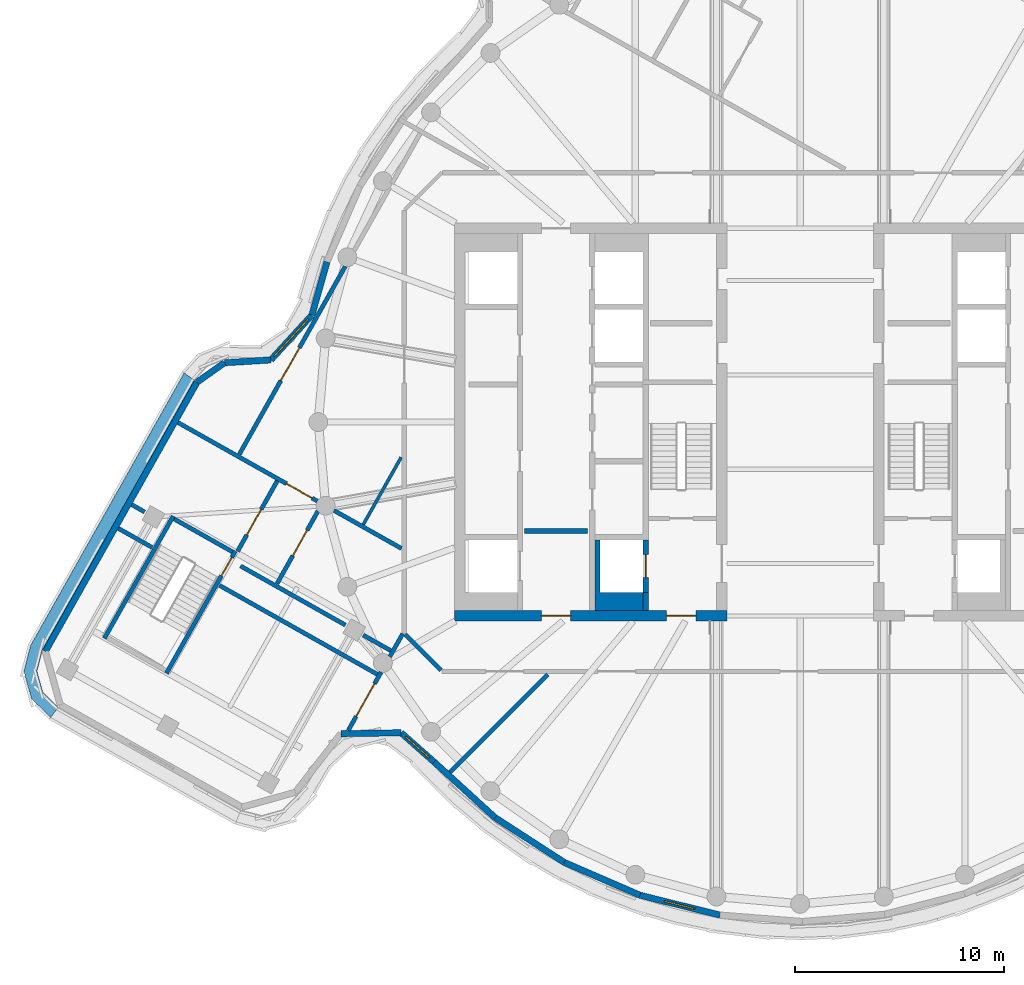
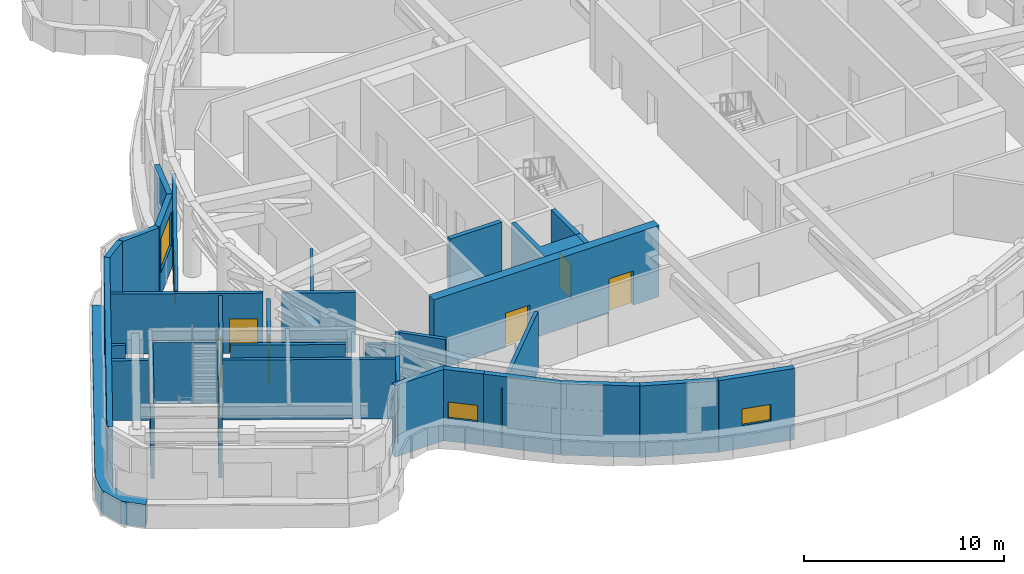
# One storey, part 5 of 15: 34 walls, 9 doors, 3 windows, 1 member, 12 openings.
"""IFC4 building model written with IfcOpenShell, lengths in metres."""

from ifc_helpers import new_model, si_unit, direction, frame, frame_2d, origin, place, context, subcontext, project, spatial, polyline, rectangle, outline, extrude, material, layer, layer_set, type_object, element, fill, aggregate, save


model = new_model("IFC4")

# Units and contexts
model_context = context("Model", 3, precision=1e-05, world=origin(), true_north=direction((0.0, 1.0)))
body_context = subcontext(model_context, "Body", "Model", "MODEL_VIEW")
ifc_project = project(units=[si_unit("LENGTHUNIT", "METRE"), si_unit("AREAUNIT", "SQUARE_METRE"), si_unit("VOLUMEUNIT", "CUBIC_METRE"), si_unit("PLANEANGLEUNIT", "RADIAN"), si_unit("MASSUNIT", "GRAM", prefix="KILO")], contexts=[model_context])

# Member
ifc_material_1 = material(Name="Aluminium and insulated spandrel panel", Category="aluminium")
member_type = type_object("IfcMemberType", Name="Floor-edge blade transom", PredefinedType="USERDEFINED", material=ifc_material_1)
site_placement = place(None, origin())
building_placement = place(site_placement, origin())
storey_placement = place(building_placement, frame((0.0, 0.0, 252.300048828125)))
member_placement = place(storey_placement, origin())
member = element("IfcMember", 1, at=member_placement, type_object=member_type, Name="CWT-L64-05", ObjectType="TRANSOM", PredefinedType="USERDEFINED", context=body_context, shape_type="SweptSolid", body=[
    extrude(outline(polyline([(-28.9130859375, 1.990966796875), (-36.172607421875, -10.891845703125), (-36.43017578125, -11.894775390625), (-36.151611328125, -12.891845703125), (-35.412109375, -13.6162109375), (-35.775390625, -14.10009765625), (-36.686279296875, -13.2080078125), (-37.05126953125, -11.901123046875), (-36.734130859375, -10.666259765625), (-29.40283203125, 2.34375), (-28.9130859375, 1.990966796875)])), origin(), (0.0, 0.0, 1.0), 1.39990234375),
])

# Site, building, storey
site = spatial("IfcSite", under=ifc_project, at=site_placement, CompositionType="ELEMENT")
building = spatial("IfcBuilding", under=site, at=building_placement, Name="Tamarind Cross Interchange Tower", CompositionType="ELEMENT")
storey = spatial("IfcBuildingStorey", under=building, at=storey_placement, Name="L64", CompositionType="ELEMENT", Elevation=252.300048828125)

# Wall, openings, doors
ifc_material_2 = material(Name="Concrete C50", Category="concrete")
ifc_layer_1 = layer(ifc_material_2, 0.5)
ifc_layer_set_1 = layer_set([ifc_layer_1], Name="Concrete C50")
wall_type_1 = type_object("IfcWallType", Name="Core wall 500 mm Concrete C50", PredefinedType="SHEAR", material=ifc_layer_set_1)
wall_1_placement = place(storey_placement, frame((-16.5, -9.25, 0.0), z_axis=(0.0, 0.0, 1.0), x_axis=(1.0, 0.0, 0.0)))
wall_1 = element("IfcWall", 2, at=wall_1_placement, inside=storey, type_object=wall_type_1, Name="Core wall CWL-L64-W-S", PredefinedType="SHEAR", context=body_context, shape_type="SweptSolid", body=[
    extrude(rectangle(XDim=13.0, YDim=0.5, at=frame_2d((6.5, 0.0))), origin(), (0.0, 0.0, 1.0), 4.35986328125),
])
opening_1_placement = place(wall_1_placement, frame((4.14990234375, 0.0, 0.0)))
opening_1 = element("IfcOpeningElement", 3, at=opening_1_placement, cuts=wall_1, Name="Opening DCW1", PredefinedType="OPENING", context=body_context, shape_type="SweptSolid", body=[
    extrude(rectangle(XDim=1.39990234375, YDim=2.10009765625, at=frame_2d((0.699951171875, 1.050048828125))), frame((0.0, 0.260009765625, 0.0), z_axis=(0.0, -1.0, 0.0), x_axis=(1.0, 0.0, 0.0)), (0.0, 0.0, 1.0), 0.52001953125),
])
opening_2_placement = place(wall_1_placement, frame((10.125, 0.0, 0.0)))
opening_2 = element("IfcOpeningElement", 4, at=opening_2_placement, cuts=wall_1, Name="Opening DCWF", PredefinedType="OPENING", context=body_context, shape_type="SweptSolid", body=[
    extrude(rectangle(XDim=1.39990234375, YDim=2.10009765625, at=frame_2d((0.699951171875, 1.050048828125))), frame((0.0, 0.260009765625, 0.0), z_axis=(0.0, -1.0, 0.0), x_axis=(1.0, 0.0, 0.0)), (0.0, 0.0, 1.0), 0.52001953125),
])
ifc_material_3 = material(Name="Steel, fire-resisting", Category="steel")
door_type_1 = type_object("IfcDoorType", Name="Core fire door 1400 x 2100 FD90", OperationType="SINGLE_SWING_LEFT", PredefinedType="DOOR", material=ifc_material_3)
door_1_placement = place(opening_1_placement, origin())
door_1 = element("IfcDoor", 5, at=door_1_placement, inside=storey, type_object=door_type_1, Name="L64 lift lobby door", OperationType="SINGLE_SWING_LEFT", OverallHeight=2.10009765625, OverallWidth=1.39990234375, PredefinedType="DOOR", context=body_context, shape_type="SweptSolid", body=[
    extrude(rectangle(XDim=1.39990234375, YDim=2.10009765625, at=frame_2d((0.699951171875, 1.050048828125))), frame((0.0, 0.02490234375, 0.0), z_axis=(0.0, -1.0, 0.0), x_axis=(1.0, 0.0, 0.0)), (0.0, 0.0, 1.0), 0.050048828125),
])
fill(opening_1, door_1)
door_2_placement = place(opening_2_placement, origin())
door_2 = element("IfcDoor", 6, at=door_2_placement, inside=storey, type_object=door_type_1, Name="L64 firefighting lobby end door", OperationType="SINGLE_SWING_LEFT", OverallHeight=2.10009765625, OverallWidth=1.39990234375, PredefinedType="DOOR", context=body_context, shape_type="SweptSolid", body=[
    extrude(rectangle(XDim=1.39990234375, YDim=2.10009765625, at=frame_2d((0.699951171875, 1.050048828125))), frame((0.0, 0.02490234375, 0.0), z_axis=(0.0, -1.0, 0.0), x_axis=(1.0, 0.0, 0.0)), (0.0, 0.0, 1.0), 0.050048828125),
])
fill(opening_2, door_2)

# Walls
ifc_layer_2 = layer(ifc_material_2, 0.25)
ifc_layer_set_2 = layer_set([ifc_layer_2], Name="Concrete C50")
wall_type_2 = type_object("IfcWallType", Name="Core web wall 250 mm Concrete C50", PredefinedType="SHEAR", material=ifc_layer_set_2)
wall_2_placement = place(storey_placement, origin())
element("IfcWall", 7, at=wall_2_placement, inside=storey, type_object=wall_type_2, Name="Core wall CWL-L64-W-BS", PredefinedType="SHEAR", context=body_context, shape_type="SweptSolid", body=[
    extrude(outline(polyline([(-7.5, -8.125), (-9.550048828125, -8.125), (-9.550048828125, -5.625), (-9.800048828125, -5.625), (-9.800048828125, -8.125), (-9.800048828125, -9.0), (-7.5, -9.0), (-7.5, -8.125)])), origin(), (0.0, 0.0, 1.0), 4.35986328125),
])
wall_3_placement = place(storey_placement, frame((-7.375, -9.0, 0.0), z_axis=(0.0, 0.0, 1.0), x_axis=(0.0, 1.0, 0.0)))
element("IfcWall", 8, at=wall_3_placement, inside=storey, type_object=wall_type_2, Name="Core wall CWL-L64-W-BW", PredefinedType="SHEAR", context=body_context, shape_type="SweptSolid", body=[
    extrude(rectangle(XDim=0.875, YDim=0.25, at=frame_2d((0.4375, 0.0))), origin(), (0.0, 0.0, 1.0), 4.35986328125),
])

# Wall, opening, door
wall_4_placement = place(storey_placement, frame((-7.375, -8.125, 0.0), z_axis=(0.0, 0.0, 1.0), x_axis=(0.0, 1.0, 0.0)))
wall_4 = element("IfcWall", 9, at=wall_4_placement, inside=storey, type_object=wall_type_2, Name="Core wall CWL-L64-W-FF", PredefinedType="SHEAR", context=body_context, shape_type="SweptSolid", body=[
    extrude(rectangle(XDim=2.5, YDim=0.25, at=frame_2d((1.25, 0.0))), origin(), (0.0, 0.0, 1.0), 4.35986328125),
])
opening_3_placement = place(wall_4_placement, frame((0.699951171875, 0.0, 0.0)))
opening_3 = element("IfcOpeningElement", 10, at=opening_3_placement, cuts=wall_4, Name="Opening LD7L64", PredefinedType="OPENING", context=body_context, shape_type="SweptSolid", body=[
    extrude(rectangle(XDim=1.10009765625, YDim=2.10009765625, at=frame_2d((0.550048828125, 1.050048828125))), frame((0.0, 0.135009765625, 0.0), z_axis=(0.0, -1.0, 0.0), x_axis=(1.0, 0.0, 0.0)), (0.0, 0.0, 1.0), 0.27001953125),
])
ifc_material_4 = material(Name="Stainless steel panel", Category="steel")
door_type_2 = type_object("IfcDoorType", Name="Lift landing door 1100 x 2100 E 120", OperationType="SLIDING_TO_LEFT", PredefinedType="DOOR", material=ifc_material_4)
door_3_placement = place(opening_3_placement, origin())
door_3 = element("IfcDoor", 11, at=door_3_placement, inside=storey, type_object=door_type_2, Name="L64 landing door LF7", OperationType="SLIDING_TO_LEFT", OverallHeight=2.10009765625, OverallWidth=1.10009765625, PredefinedType="DOOR", context=body_context, shape_type="SweptSolid", body=[
    extrude(rectangle(XDim=1.10009765625, YDim=2.10009765625, at=frame_2d((0.550048828125, 1.050048828125))), frame((0.0, 0.02490234375, 0.0), z_axis=(0.0, -1.0, 0.0), x_axis=(1.0, 0.0, 0.0)), (0.0, 0.0, 1.0), 0.050048828125),
])
fill(opening_3, door_3)

# Walls
ifc_material_5 = material(Name="Gypsum board partition on steel studs", Category="steel")
ifc_layer_3 = layer(ifc_material_5, 0.14990234375)
ifc_layer_set_3 = layer_set([ifc_layer_3], Name="Gypsum board partition on steel studs")
wall_type_3 = type_object("IfcWallType", Name="Partition 150 mm EI 120", PredefinedType="PARTITIONING", material=ifc_layer_set_3)
wall_5_placement = place(storey_placement, frame((-20.85400390625, -4.892822265625, 0.0), z_axis=(0.0, 0.0, 1.0), x_axis=(0.490808992491, 0.87126719948, 0.0)))
element("IfcWall", 12, at=wall_5_placement, inside=storey, type_object=wall_type_3, Name="Partition L64-033", PredefinedType="PARTITIONING", context=body_context, shape_type="SweptSolid", body=[
    extrude(rectangle(XDim=3.681396484375, YDim=0.14990234375, at=frame_2d((1.8408203125, 0.0))), origin(), (0.0, 0.0, 1.0), 3.659912109375),
])
ifc_layer_4 = layer(ifc_material_5, 0.199951171875)
ifc_layer_set_4 = layer_set([ifc_layer_4], Name="Gypsum board partition on steel studs")
wall_type_4 = type_object("IfcWallType", Name="Partition 200 mm EI 180", PredefinedType="PARTITIONING", material=ifc_layer_set_4)
wall_6_placement = place(storey_placement, frame((-18.85400390625, -10.14599609375, 0.0), z_axis=(0.0, 0.0, 1.0), x_axis=(0.707106781187, -0.707106781187, 0.0)))
element("IfcWall", 13, at=wall_6_placement, inside=storey, type_object=wall_type_4, Name="Partition L64-001", PredefinedType="PARTITIONING", context=body_context, shape_type="SweptSolid", body=[
    extrude(rectangle(XDim=2.420654296875, YDim=0.199951171875, at=frame_2d((1.21044921875, 0.0))), origin(), (0.0, 0.0, 1.0), 3.659912109375),
])
wall_7_placement = place(storey_placement, frame((-32.549072265625, -5.07470703125, 0.0), z_axis=(0.0, 0.0, 1.0), x_axis=(0.871273731267, -0.490797397308, 0.0)))
element("IfcWall", 14, at=wall_7_placement, inside=storey, type_object=wall_type_4, Name="Partition L64-004", PredefinedType="PARTITIONING", context=body_context, shape_type="SweptSolid", body=[
    extrude(rectangle(XDim=1.85888671875, YDim=0.199951171875, at=frame_2d((0.929443359375, 0.0))), origin(), (0.0, 0.0, 1.0), 3.64990234375),
])
wall_8_placement = place(storey_placement, frame((-27.72314453125, -7.79345703125, 0.0), z_axis=(0.0, 0.0, 1.0), x_axis=(0.871250853951, -0.490838007382, 0.0)))
element("IfcWall", 15, at=wall_8_placement, inside=storey, type_object=wall_type_4, Name="Partition L64-005", PredefinedType="PARTITIONING", context=body_context, shape_type="SweptSolid", body=[
    extrude(rectangle(XDim=8.66015625, YDim=0.199951171875, at=frame_2d((4.330078125, 0.0))), origin(), (0.0, 0.0, 1.0), 3.64990234375),
])
wall_9_placement = place(storey_placement, frame((-31.910888671875, -3.9423828125, 0.0), z_axis=(0.0, 0.0, 1.0), x_axis=(0.871125482332, -0.491060478995, 0.0)))
element("IfcWall", 16, at=wall_9_placement, inside=storey, type_object=wall_type_4, Name="Partition L64-006", PredefinedType="PARTITIONING", context=body_context, shape_type="SweptSolid", body=[
    extrude(rectangle(XDim=0.71044921875, YDim=0.199951171875, at=frame_2d((0.355224609375, 0.0))), origin(), (0.0, 0.0, 1.0), 3.659912109375),
])
wall_10_placement = place(storey_placement, frame((-26.710693359375, -6.872314453125, 0.0), z_axis=(0.0, 0.0, 1.0), x_axis=(0.871249420599, -0.490840551612, 0.0)))
element("IfcWall", 17, at=wall_10_placement, inside=storey, type_object=wall_type_4, Name="Partition L64-007", PredefinedType="PARTITIONING", context=body_context, shape_type="SweptSolid", body=[
    extrude(rectangle(XDim=5.741455078125, YDim=0.199951171875, at=frame_2d((2.87060546875, 0.0))), origin(), (0.0, 0.0, 1.0), 3.64990234375),
])
wall_11_placement = place(storey_placement, frame((-20.857177734375, -10.170166015625, 0.0), z_axis=(0.0, 0.0, 1.0), x_axis=(0.871269034668, -0.490805734715, 0.0)))
element("IfcWall", 18, at=wall_11_placement, inside=storey, type_object=wall_type_4, Name="Partition L64-008", PredefinedType="PARTITIONING", context=body_context, shape_type="SweptSolid", body=[
    extrude(rectangle(XDim=1.51123046875, YDim=0.199951171875, at=frame_2d((0.755615234375, 0.0))), origin(), (0.0, 0.0, 1.0), 3.659912109375),
])

# Wall, opening, door
wall_12_placement = place(storey_placement, frame((-29.70166015625, -0.021728515625, 0.0), z_axis=(0.0, 0.0, 1.0), x_axis=(0.871230291911, -0.490874503775, 0.0)))
wall_12 = element("IfcWall", 19, at=wall_12_placement, inside=storey, type_object=wall_type_4, Name="Partition L64-009", PredefinedType="PARTITIONING", context=body_context, shape_type="SweptSolid", body=[
    extrude(rectangle(XDim=7.634521484375, YDim=0.199951171875, at=frame_2d((3.8173828125, 0.0))), origin(), (0.0, 0.0, 1.0), 3.659912109375),
])
opening_4_placement = place(wall_12_placement, frame((5.94873046875, 0.0, 0.0)))
opening_4 = element("IfcOpeningElement", 20, at=opening_4_placement, cuts=wall_12, Name="Opening D01", PredefinedType="OPENING", context=body_context, shape_type="SweptSolid", body=[
    extrude(rectangle(XDim=1.39990234375, YDim=2.10009765625, at=frame_2d((0.699951171875, 1.050048828125))), frame((0.0, 0.10986328125, 0.0), z_axis=(0.0, -1.0, 0.0), x_axis=(1.0, 0.0, 0.0)), (0.0, 0.0, 1.0), 0.219970703125),
])
ifc_material_6 = material(Name="Fire-resisting door set")
door_type_3 = type_object("IfcDoorType", Name="Interior door 1400 x 2100 FD120S", OperationType="DOUBLE_DOOR_SINGLE_SWING", PredefinedType="DOOR", material=ifc_material_6)
door_4_placement = place(opening_4_placement, origin())
door_4 = element("IfcDoor", 21, at=door_4_placement, inside=storey, type_object=door_type_3, Name="Door D01", OperationType="DOUBLE_DOOR_SINGLE_SWING", OverallHeight=2.10009765625, OverallWidth=1.39990234375, PredefinedType="DOOR", context=body_context, shape_type="SweptSolid", body=[
    extrude(rectangle(XDim=1.39990234375, YDim=2.10009765625, at=frame_2d((0.699951171875, 1.050048828125))), frame((0.0, 0.02490234375, 0.0), z_axis=(0.0, -1.0, 0.0), x_axis=(1.0, 0.0, 0.0)), (0.0, 0.0, 1.0), 0.050048828125),
])
fill(opening_4, door_4)

# Walls
wall_13_placement = place(storey_placement, frame((-22.251220703125, -4.2197265625, 0.0), z_axis=(0.0, 0.0, 1.0), x_axis=(0.871238479137, -0.490859972366, 0.0)))
element("IfcWall", 22, at=wall_13_placement, inside=storey, type_object=wall_type_4, Name="Partition L64-010", PredefinedType="PARTITIONING", context=body_context, shape_type="SweptSolid", body=[
    extrude(rectangle(XDim=3.697021484375, YDim=0.199951171875, at=frame_2d((1.8486328125, 0.0))), origin(), (0.0, 0.0, 1.0), 3.659912109375),
])
wall_14_placement = place(storey_placement, frame((-16.927001953125, -16.927001953125, 0.0), z_axis=(0.0, 0.0, 1.0), x_axis=(0.707106781187, 0.707106781187, 0.0)))
element("IfcWall", 23, at=wall_14_placement, inside=storey, type_object=wall_type_4, Name="Partition L64-024", PredefinedType="PARTITIONING", context=body_context, shape_type="SweptSolid", body=[
    extrude(rectangle(XDim=6.894287109375, YDim=0.199951171875, at=frame_2d((3.447265625, 0.0))), origin(), (0.0, 0.0, 1.0), 3.659912109375),
])

# Wall, opening, door
wall_15_placement = place(storey_placement, frame((-26.854736328125, -6.171142578125, 0.0), z_axis=(0.0, 0.0, 1.0), x_axis=(0.49081668525, 0.871262865891, 0.0)))
wall_15 = element("IfcWall", 24, at=wall_15_placement, inside=storey, type_object=wall_type_4, Name="Partition L64-026", PredefinedType="PARTITIONING", context=body_context, shape_type="SweptSolid", body=[
    extrude(rectangle(XDim=3.85986328125, YDim=0.199951171875, at=frame_2d((1.929931640625, 0.0))), origin(), (0.0, 0.0, 1.0), 3.550048828125),
])
opening_5_placement = place(wall_15_placement, frame((0.89990234375, 0.0, 0.0)))
opening_5 = element("IfcOpeningElement", 25, at=opening_5_placement, cuts=wall_15, Name="Opening D09", PredefinedType="OPENING", context=body_context, shape_type="SweptSolid", body=[
    extrude(rectangle(XDim=1.39990234375, YDim=2.10009765625, at=frame_2d((0.699951171875, 1.050048828125))), frame((0.0, 0.10986328125, 0.0), z_axis=(0.0, -1.0, 0.0), x_axis=(1.0, 0.0, 0.0)), (0.0, 0.0, 1.0), 0.219970703125),
])
door_5_placement = place(opening_5_placement, origin())
door_5 = element("IfcDoor", 26, at=door_5_placement, inside=storey, type_object=door_type_3, Name="Door D09", OperationType="DOUBLE_DOOR_SINGLE_SWING", OverallHeight=2.10009765625, OverallWidth=1.39990234375, PredefinedType="DOOR", context=body_context, shape_type="SweptSolid", body=[
    extrude(rectangle(XDim=1.39990234375, YDim=2.10009765625, at=frame_2d((0.699951171875, 1.050048828125))), frame((0.0, 0.02490234375, 0.0), z_axis=(0.0, -1.0, 0.0), x_axis=(1.0, 0.0, 0.0)), (0.0, 0.0, 1.0), 0.050048828125),
])
fill(opening_5, door_5)

wall_16_placement = place(storey_placement, frame((-26.76904296875, -1.53662109375, 0.0), z_axis=(0.0, 0.0, 1.0), x_axis=(0.490938793305, 0.871194066341, 0.0)))
wall_16 = element("IfcWall", 27, at=wall_16_placement, inside=storey, type_object=wall_type_4, Name="Partition L64-027", PredefinedType="PARTITIONING", context=body_context, shape_type="SweptSolid", body=[
    extrude(rectangle(XDim=10.29638671875, YDim=0.199951171875, at=frame_2d((5.148193359375, 0.0))), origin(), (0.0, 0.0, 1.0), 3.659912109375),
])
opening_6_placement = place(wall_16_placement, frame((4.030029296875, 0.0, 0.0)))
opening_6 = element("IfcOpeningElement", 28, at=opening_6_placement, cuts=wall_16, Name="Opening D10", PredefinedType="OPENING", context=body_context, shape_type="SweptSolid", body=[
    extrude(rectangle(XDim=1.800048828125, YDim=2.10009765625, at=frame_2d((0.89990234375, 1.050048828125))), frame((0.0, 0.10986328125, 0.0), z_axis=(0.0, -1.0, 0.0), x_axis=(1.0, 0.0, 0.0)), (0.0, 0.0, 1.0), 0.219970703125),
])
door_type_4 = type_object("IfcDoorType", Name="Interior door 1800 x 2100 FD120S", OperationType="DOUBLE_DOOR_SINGLE_SWING", PredefinedType="DOOR", material=ifc_material_6)
door_6_placement = place(opening_6_placement, origin())
door_6 = element("IfcDoor", 29, at=door_6_placement, inside=storey, type_object=door_type_4, Name="Door D10", OperationType="DOUBLE_DOOR_SINGLE_SWING", OverallHeight=2.10009765625, OverallWidth=1.800048828125, PredefinedType="DOOR", context=body_context, shape_type="SweptSolid", body=[
    extrude(rectangle(XDim=1.800048828125, YDim=2.10009765625, at=frame_2d((0.89990234375, 1.050048828125))), frame((0.0, 0.02490234375, 0.0), z_axis=(0.0, -1.0, 0.0), x_axis=(1.0, 0.0, 0.0)), (0.0, 0.0, 1.0), 0.050048828125),
])
fill(opening_6, door_6)

wall_17_placement = place(storey_placement, frame((-24.97021484375, -7.715576171875, 0.0), z_axis=(0.0, 0.0, 1.0), x_axis=(0.490949481797, 0.871188043033, 0.0)))
wall_17 = element("IfcWall", 30, at=wall_17_placement, inside=storey, type_object=wall_type_4, Name="Partition L64-030", PredefinedType="PARTITIONING", context=body_context, shape_type="SweptSolid", body=[
    extrude(rectangle(XDim=3.973876953125, YDim=0.199951171875, at=frame_2d((1.98681640625, 0.0))), origin(), (0.0, 0.0, 1.0), 3.550048828125),
])
opening_7_placement = place(wall_17_placement, frame((1.530029296875, 0.0, 0.0)))
opening_7 = element("IfcOpeningElement", 31, at=opening_7_placement, cuts=wall_17, Name="Opening D11", PredefinedType="OPENING", context=body_context, shape_type="SweptSolid", body=[
    extrude(rectangle(XDim=1.39990234375, YDim=2.10009765625, at=frame_2d((0.699951171875, 1.050048828125))), frame((0.0, 0.10986328125, 0.0), z_axis=(0.0, -1.0, 0.0), x_axis=(1.0, 0.0, 0.0)), (0.0, 0.0, 1.0), 0.219970703125),
])
door_7_placement = place(opening_7_placement, frame((1.39990234375, 0.0, 0.0), z_axis=(0.0, 0.0, 1.0), x_axis=(-1.0, 0.0, 0.0)))
door_7 = element("IfcDoor", 32, at=door_7_placement, inside=storey, type_object=door_type_3, Name="Door D11", OperationType="DOUBLE_DOOR_SINGLE_SWING", OverallHeight=2.10009765625, OverallWidth=1.39990234375, PredefinedType="DOOR", context=body_context, shape_type="SweptSolid", body=[
    extrude(rectangle(XDim=1.39990234375, YDim=2.10009765625, at=frame_2d((0.699951171875, 1.050048828125))), frame((0.0, 0.02490234375, 0.0), z_axis=(0.0, -1.0, 0.0), x_axis=(1.0, 0.0, 0.0)), (0.0, 0.0, 1.0), 0.050048828125),
])
fill(opening_7, door_7)

wall_18_placement = place(storey_placement, frame((-21.5712890625, -14.719970703125, 0.0), z_axis=(0.0, 0.0, 1.0), x_axis=(0.490968764071, 0.871177176415, 0.0)))
wall_18 = element("IfcWall", 33, at=wall_18_placement, inside=storey, type_object=wall_type_4, Name="Partition L64-031", PredefinedType="PARTITIONING", context=body_context, shape_type="SweptSolid", body=[
    extrude(rectangle(XDim=3.19384765625, YDim=0.199951171875, at=frame_2d((1.596923828125, 0.0))), origin(), (0.0, 0.0, 1.0), 3.659912109375),
])
opening_8_placement = place(wall_18_placement, frame((0.76416015625, 0.0, 0.0)))
opening_8 = element("IfcOpeningElement", 34, at=opening_8_placement, cuts=wall_18, Name="Opening D12", PredefinedType="OPENING", context=body_context, shape_type="SweptSolid", body=[
    extrude(rectangle(XDim=1.800048828125, YDim=2.10009765625, at=frame_2d((0.89990234375, 1.050048828125))), frame((0.0, 0.10986328125, 0.0), z_axis=(0.0, -1.0, 0.0), x_axis=(1.0, 0.0, 0.0)), (0.0, 0.0, 1.0), 0.219970703125),
])
door_8_placement = place(opening_8_placement, origin())
door_8 = element("IfcDoor", 35, at=door_8_placement, inside=storey, type_object=door_type_4, Name="Door D12", OperationType="DOUBLE_DOOR_SINGLE_SWING", OverallHeight=2.10009765625, OverallWidth=1.800048828125, PredefinedType="DOOR", context=body_context, shape_type="SweptSolid", body=[
    extrude(rectangle(XDim=1.800048828125, YDim=2.10009765625, at=frame_2d((0.89990234375, 1.050048828125))), frame((0.0, 0.02490234375, 0.0), z_axis=(0.0, -1.0, 0.0), x_axis=(1.0, 0.0, 0.0)), (0.0, 0.0, 1.0), 0.050048828125),
])
fill(opening_8, door_8)

# Walls
wall_19_placement = place(storey_placement, frame((-19.58837890625, -11.20166015625, 0.0), z_axis=(0.0, 0.0, 1.0), x_axis=(0.490922315128, 0.871203351985, 0.0)))
element("IfcWall", 36, at=wall_19_placement, inside=storey, type_object=wall_type_4, Name="Partition L64-032", PredefinedType="PARTITIONING", context=body_context, shape_type="SweptSolid", body=[
    extrude(rectangle(XDim=1.26220703125, YDim=0.199951171875, at=frame_2d((0.631103515625, 0.0))), origin(), (0.0, 0.0, 1.0), 3.659912109375),
])
ifc_material_7 = material(Name="Precast concrete C40", Category="concrete")
ifc_layer_5 = layer(ifc_material_7, 0.300048828125)
ifc_layer_set_5 = layer_set([ifc_layer_5], Name="Precast concrete C40")
wall_type_5 = type_object("IfcWallType", Name="Plant louvre wall", PredefinedType="SOLIDWALL", material=ifc_layer_set_5)
wall_20_placement = place(storey_placement, frame((-21.923583984375, -14.876220703125, 0.0), z_axis=(0.0, 0.0, 1.0), x_axis=(0.999879048983, 0.015552729789, 0.0)))
element("IfcWall", 37, at=wall_20_placement, inside=storey, type_object=wall_type_5, Name="EXW-L64-01-02", PredefinedType="SOLIDWALL", context=body_context, shape_type="SweptSolid", body=[
    extrude(rectangle(XDim=2.87255859375, YDim=0.300048828125, at=frame_2d((1.436279296875, 0.0))), origin(), (0.0, 0.0, 1.0), 4.35986328125),
])

# Wall, opening, window
wall_21_placement = place(storey_placement, frame((-19.05126953125, -14.83154296875, 0.0), z_axis=(0.0, 0.0, 1.0), x_axis=(0.749217958037, -0.662323524688, 0.0)))
wall_21 = element("IfcWall", 38, at=wall_21_placement, inside=storey, type_object=wall_type_5, Name="EXW-L64-01-03", PredefinedType="SOLIDWALL", context=body_context, shape_type="SweptSolid", body=[
    extrude(rectangle(XDim=2.1044921875, YDim=0.300048828125, at=frame_2d((1.05224609375, 0.0))), origin(), (0.0, 0.0, 1.0), 4.35986328125),
])
opening_9_placement = place(wall_21_placement, frame((0.300048828125, 0.0, 1.39990234375)))
opening_9 = element("IfcOpeningElement", 39, at=opening_9_placement, cuts=wall_21, Name="Opening W5", PredefinedType="OPENING", context=body_context, shape_type="SweptSolid", body=[
    extrude(rectangle(XDim=1.5, YDim=1.0, at=frame_2d((0.75, 0.5))), frame((0.0, 0.159912109375, 0.0), z_axis=(0.0, -1.0, 0.0), x_axis=(1.0, 0.0, 0.0)), (0.0, 0.0, 1.0), 0.320068359375),
])
ifc_material_8 = material(Name="Aluminium and fire-resisting glass", Category="aluminium")
window_type_1 = type_object("IfcWindowType", Name="Refuge opening window", PartitioningType="DOUBLE_PANEL_VERTICAL", PredefinedType="WINDOW", material=ifc_material_8)
window_1_placement = place(opening_9_placement, origin())
window_1 = element("IfcWindow", 40, at=window_1_placement, inside=storey, type_object=window_type_1, Name="RSW-L64-01-05", OverallHeight=1.0, OverallWidth=1.5, PartitioningType="SINGLE_PANEL", PredefinedType="WINDOW", context=body_context, shape_type="SweptSolid", body=[
    extrude(rectangle(XDim=1.5, YDim=1.0, at=frame_2d((0.75, 0.5))), frame((0.0, 0.030029296875, 0.0), z_axis=(0.0, -1.0, 0.0), x_axis=(1.0, 0.0, 0.0)), (0.0, 0.0, 1.0), 0.06005859375),
])
fill(opening_9, window_1)

# Walls
wall_22_placement = place(storey_placement, frame((-17.474609375, -16.225341796875, 0.0), z_axis=(0.0, 0.0, 1.0), x_axis=(0.738631739758, -0.674109155124, 0.0)))
element("IfcWall", 41, at=wall_22_placement, inside=storey, type_object=wall_type_5, Name="EXW-L64-01-04", PredefinedType="SOLIDWALL", context=body_context, shape_type="SweptSolid", body=[
    extrude(rectangle(XDim=3.93896484375, YDim=0.300048828125, at=frame_2d((1.969482421875, 0.0))), origin(), (0.0, 0.0, 1.0), 4.35986328125),
])
wall_23_placement = place(storey_placement, frame((-14.565185546875, -18.880615234375, 0.0), z_axis=(0.0, 0.0, 1.0), x_axis=(0.839498632024, -0.54336180104, 0.0)))
element("IfcWall", 42, at=wall_23_placement, inside=storey, type_object=wall_type_5, Name="EXW-L64-01-05", PredefinedType="SOLIDWALL", context=body_context, shape_type="SweptSolid", body=[
    extrude(rectangle(XDim=3.938232421875, YDim=0.300048828125, at=frame_2d((1.96923828125, 0.0))), origin(), (0.0, 0.0, 1.0), 4.35986328125),
])
wall_24_placement = place(storey_placement, frame((-11.259033203125, -21.0205078125, 0.0), z_axis=(0.0, 0.0, 1.0), x_axis=(0.917505110173, -0.397723990735, 0.0)))
element("IfcWall", 43, at=wall_24_placement, inside=storey, type_object=wall_type_5, Name="EXW-L64-01-06", PredefinedType="SOLIDWALL", context=body_context, shape_type="SweptSolid", body=[
    extrude(rectangle(XDim=3.9384765625, YDim=0.300048828125, at=frame_2d((1.96923828125, 0.0))), origin(), (0.0, 0.0, 1.0), 4.35986328125),
])

# Wall, opening, window
wall_25_placement = place(storey_placement, frame((-7.6455078125, -22.5869140625, 0.0), z_axis=(0.0, 0.0, 1.0), x_axis=(0.970440788586, -0.241339337547, 0.0)))
wall_25 = element("IfcWall", 44, at=wall_25_placement, inside=storey, type_object=wall_type_5, Name="EXW-L64-01-07", PredefinedType="SOLIDWALL", context=body_context, shape_type="SweptSolid", body=[
    extrude(rectangle(XDim=3.938232421875, YDim=0.300048828125, at=frame_2d((1.96923828125, 0.0))), origin(), (0.0, 0.0, 1.0), 4.35986328125),
])
opening_10_placement = place(wall_25_placement, frame((1.199951171875, 0.0, 1.39990234375)))
opening_10 = element("IfcOpeningElement", 45, at=opening_10_placement, cuts=wall_25, Name="Opening W5", PredefinedType="OPENING", context=body_context, shape_type="SweptSolid", body=[
    extrude(rectangle(XDim=1.5, YDim=1.0, at=frame_2d((0.75, 0.5))), frame((0.0, 0.159912109375, 0.0), z_axis=(0.0, -1.0, 0.0), x_axis=(1.0, 0.0, 0.0)), (0.0, 0.0, 1.0), 0.320068359375),
])
window_2_placement = place(opening_10_placement, origin())
window_2 = element("IfcWindow", 46, at=window_2_placement, inside=storey, type_object=window_type_1, Name="RSW-L64-01-03", OverallHeight=1.0, OverallWidth=1.5, PartitioningType="SINGLE_PANEL", PredefinedType="WINDOW", context=body_context, shape_type="SweptSolid", body=[
    extrude(rectangle(XDim=1.5, YDim=1.0, at=frame_2d((0.75, 0.5))), frame((0.0, 0.030029296875, 0.0), z_axis=(0.0, -1.0, 0.0), x_axis=(1.0, 0.0, 0.0)), (0.0, 0.0, 1.0), 0.06005859375),
])
fill(opening_10, window_2)

# Wall
wall_26_placement = place(storey_placement, frame((-22.5869140625, 7.6455078125, 0.0), z_axis=(0.0, 0.0, 1.0), x_axis=(-0.272484089788, -0.962160288524, 0.0)))
element("IfcWall", 47, at=wall_26_placement, inside=storey, type_object=wall_type_5, Name="EXW-L64-04-07", PredefinedType="SOLIDWALL", context=body_context, shape_type="SweptSolid", body=[
    extrude(rectangle(XDim=2.638671875, YDim=0.300048828125, at=frame_2d((1.3193359375, 0.0))), origin(), (0.0, 0.0, 1.0), 4.35986328125),
])

# Wall, opening, window
wall_27_placement = place(storey_placement, frame((-23.305908203125, 5.106689453125, 0.0), z_axis=(0.0, 0.0, 1.0), x_axis=(-0.675621829104, -0.737248359807, 0.0)))
wall_27 = element("IfcWall", 48, at=wall_27_placement, inside=storey, type_object=wall_type_5, Name="EXW-L64-04-08", PredefinedType="SOLIDWALL", context=body_context, shape_type="SweptSolid", body=[
    extrude(rectangle(XDim=2.90380859375, YDim=0.300048828125, at=frame_2d((1.451904296875, 0.0))), origin(), (0.0, 0.0, 1.0), 4.35986328125),
])
opening_11_placement = place(wall_27_placement, frame((0.25, 0.0, 1.39990234375)))
opening_11 = element("IfcOpeningElement", 49, at=opening_11_placement, cuts=wall_27, Name="Opening W3", PredefinedType="OPENING", context=body_context, shape_type="SweptSolid", body=[
    extrude(rectangle(XDim=2.39990234375, YDim=2.10009765625, at=frame_2d((1.199951171875, 1.050048828125))), frame((0.0, 0.159912109375, 0.0), z_axis=(0.0, -1.0, 0.0), x_axis=(1.0, 0.0, 0.0)), (0.0, 0.0, 1.0), 0.320068359375),
])
window_type_2 = type_object("IfcWindowType", Name="Refuge rescue window", PartitioningType="DOUBLE_PANEL_VERTICAL", PredefinedType="WINDOW", material=ifc_material_8)
window_3_placement = place(opening_11_placement, origin())
window_3 = element("IfcWindow", 50, at=window_3_placement, inside=storey, type_object=window_type_2, Name="RSW-L64-04-00", OverallHeight=2.10009765625, OverallWidth=2.39990234375, PartitioningType="SINGLE_PANEL", PredefinedType="WINDOW", context=body_context, shape_type="SweptSolid", body=[
    extrude(rectangle(XDim=2.39990234375, YDim=2.10009765625, at=frame_2d((1.199951171875, 1.050048828125))), frame((0.0, 0.030029296875, 0.0), z_axis=(0.0, -1.0, 0.0), x_axis=(1.0, 0.0, 0.0)), (0.0, 0.0, 1.0), 0.06005859375),
])
fill(opening_11, window_3)

# Walls
wall_28_placement = place(storey_placement, frame((-25.267822265625, 2.9658203125, 0.0), z_axis=(0.0, 0.0, 1.0), x_axis=(-0.998097303287, -0.061658520666, 0.0)))
element("IfcWall", 51, at=wall_28_placement, inside=storey, type_object=wall_type_5, Name="EXW-L64-04-09", PredefinedType="SOLIDWALL", context=body_context, shape_type="SweptSolid", body=[
    extrude(rectangle(XDim=2.21728515625, YDim=0.300048828125, at=frame_2d((1.108642578125, 0.0))), origin(), (0.0, 0.0, 1.0), 4.35986328125),
])
wall_29_placement = place(storey_placement, frame((-27.48095703125, 2.8291015625, 0.0), z_axis=(0.0, 0.0, 1.0), x_axis=(-0.816419139808, -0.577459771893, 0.0)))
element("IfcWall", 52, at=wall_29_placement, inside=storey, type_object=wall_type_5, Name="EXW-L64-04-10", PredefinedType="SOLIDWALL", context=body_context, shape_type="SweptSolid", body=[
    extrude(rectangle(XDim=1.60400390625, YDim=0.300048828125, at=frame_2d((0.802001953125, 0.0))), origin(), (0.0, 0.0, 1.0), 4.35986328125),
])

# Wall
wall_30_placement = place(storey_placement, frame((-28.79052734375, 1.90283203125, 0.0), z_axis=(0.0, 0.0, 1.0), x_axis=(-0.490929020031, -0.871199573744, 0.0)))
wall_30 = element("IfcWall", 53, at=wall_30_placement, inside=storey, type_object=wall_type_5, Name="EXW-L64-05-00", PredefinedType="SOLIDWALL", context=body_context, shape_type="SweptSolid", body=[
    extrude(rectangle(XDim=14.7509765625, YDim=0.300048828125, at=frame_2d((7.37548828125, 0.0))), origin(), (0.0, 0.0, 1.0), 4.35986328125),
])

aggregate(wall_30, [member])

ifc_material_9 = material(Name="Concrete C40", Category="concrete")
ifc_layer_6 = layer(ifc_material_9, 0.25)
ifc_layer_set_6 = layer_set([ifc_layer_6], Name="Concrete C40")
wall_type_6 = type_object("IfcWallType", Name="Shaft and lobby wall 250 mm Concrete C40", PredefinedType="PARTITIONING", material=ifc_layer_set_6)
wall_31_placement = place(storey_placement, frame((-13.14990234375, -5.199951171875, 0.0), z_axis=(0.0, 0.0, 1.0), x_axis=(1.0, 0.0, 0.0)))
element("IfcWall", 54, at=wall_31_placement, inside=storey, type_object=wall_type_6, Name="Shaft wall CWL-L64-W-EVP", PredefinedType="PARTITIONING", context=body_context, shape_type="SweptSolid", body=[
    extrude(rectangle(XDim=3.0, YDim=0.25, at=frame_2d((1.5, 0.0))), origin(), (0.0, 0.0, 1.0), 4.35986328125),
])

# Wall, opening, door
ifc_layer_7 = layer(ifc_material_9, 0.199951171875)
ifc_layer_set_7 = layer_set([ifc_layer_7], Name="Concrete C40")
wall_type_7 = type_object("IfcWallType", Name="Stair shaft wall 200 mm Concrete C40", PredefinedType="SHEAR", material=ifc_layer_set_7)
wall_32_placement = place(storey_placement, frame((-26.9619140625, -6.1572265625, -0.179931640625), z_axis=(0.0, 0.0, 1.0), x_axis=(-0.490918532451, -0.871205483509, 0.0)))
wall_32 = element("IfcWall", 55, at=wall_32_placement, inside=storey, type_object=wall_type_7, Name="Core wall CWL-L64-ST5-H", PredefinedType="SHEAR", context=body_context, shape_type="SweptSolid", body=[
    extrude(rectangle(XDim=6.69970703125, YDim=0.199951171875, at=frame_2d((3.349853515625, 0.0))), origin(), (0.0, 0.0, 1.0), 3.72998046875),
])
opening_12_placement = place(wall_32_placement, frame((0.35009765625, 0.0, 0.0)))
opening_12 = element("IfcOpeningElement", 56, at=opening_12_placement, cuts=wall_32, Name="Opening ST5L64", PredefinedType="OPENING", context=body_context, shape_type="SweptSolid", body=[
    extrude(rectangle(XDim=1.0, YDim=2.10009765625, at=frame_2d((0.5, 1.050048828125))), frame((0.0, 0.10986328125, 0.0), z_axis=(0.0, -1.0, 0.0), x_axis=(1.0, 0.0, 0.0)), (0.0, 0.0, 1.0), 0.219970703125),
])
door_type_5 = type_object("IfcDoorType", Name="Core fire door 1000 x 2100 FD90", OperationType="SINGLE_SWING_LEFT", PredefinedType="DOOR", material=ifc_material_3)
door_9_placement = place(opening_12_placement, origin())
door_9 = element("IfcDoor", 57, at=door_9_placement, inside=storey, type_object=door_type_5, Name="L64 stair door ST5", OperationType="SINGLE_SWING_LEFT", OverallHeight=2.10009765625, OverallWidth=1.0, PredefinedType="DOOR", context=body_context, shape_type="SweptSolid", body=[
    extrude(rectangle(XDim=1.0, YDim=2.10009765625, at=frame_2d((0.5, 1.050048828125))), frame((0.0, 0.02490234375, 0.0), z_axis=(0.0, -1.0, 0.0), x_axis=(1.0, 0.0, 0.0)), (0.0, 0.0, 1.0), 0.050048828125),
])
fill(opening_12, door_9)

# Walls
wall_33_placement = place(storey_placement, frame((-29.923828125, -4.488037109375, -0.179931640625), z_axis=(0.0, 0.0, 1.0), x_axis=(-0.490946189567, -0.871189898328, 0.0)))
element("IfcWall", 58, at=wall_33_placement, inside=storey, type_object=wall_type_7, Name="Core wall CWL-L64-ST5-C", PredefinedType="SHEAR", context=body_context, shape_type="SweptSolid", body=[
    extrude(rectangle(XDim=6.699951171875, YDim=0.199951171875, at=frame_2d((3.35009765625, 0.0))), origin(), (0.0, 0.0, 1.0), 3.72998046875),
])
wall_34_placement = place(storey_placement, frame((-29.885986328125, -4.624267578125, -0.179931640625), z_axis=(0.0, 0.0, 1.0), x_axis=(0.871208567754, -0.490913058975, 0.0)))
element("IfcWall", 59, at=wall_34_placement, inside=storey, type_object=wall_type_7, Name="Core wall CWL-L64-ST5-CE", PredefinedType="SHEAR", context=body_context, shape_type="SweptSolid", body=[
    extrude(rectangle(XDim=3.2001953125, YDim=0.199951171875, at=frame_2d((1.60009765625, 0.0))), origin(), (0.0, 0.0, 1.0), 3.72998046875),
])

save(model, "model.ifc")
